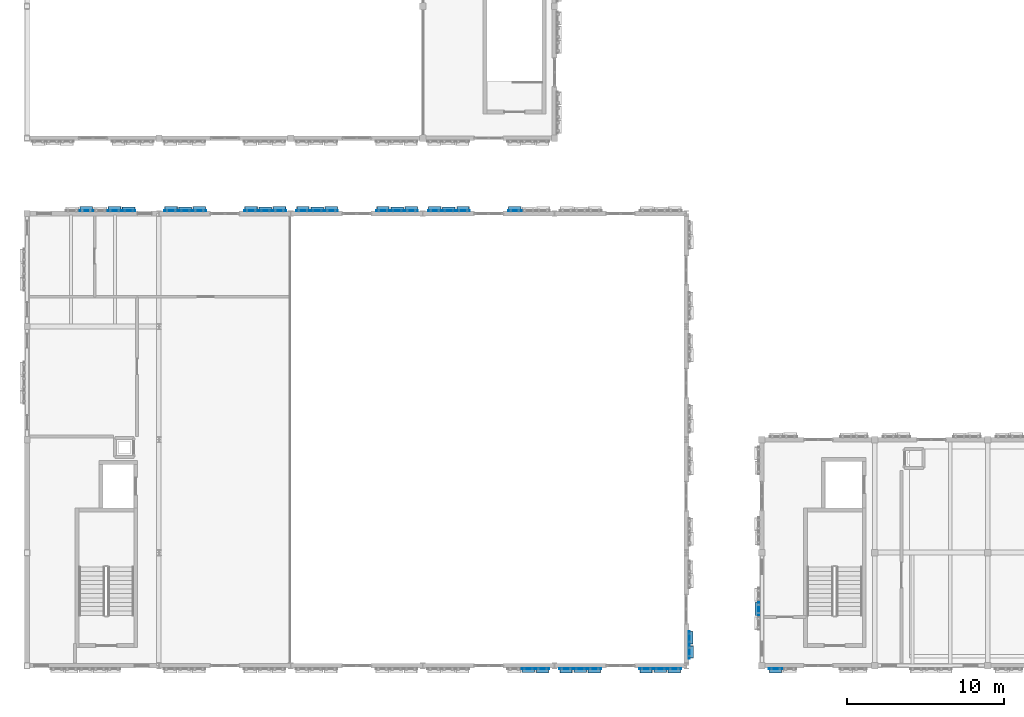
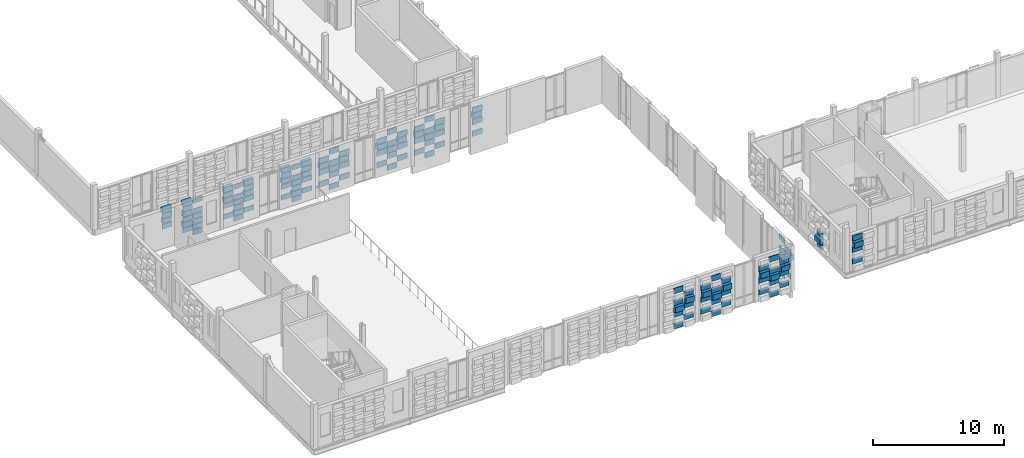
# One storey, part 43 of 81: 142 plates.
"""IFC4 building model written with IfcOpenShell, lengths in metres."""

from ifc_helpers import new_model, si_unit, direction, frame, origin, origin_2d, place, context, subcontext, project, spatial, rectangle, extrude, material, layer, layer_set, type_object, element, save


model = new_model("IFC4")

# Units and contexts
model_context = context("Model", 3, precision=1e-05, world=origin(), true_north=direction((0.0, 1.0)))
body_context = subcontext(model_context, "Body", "Model", "MODEL_VIEW")
ifc_project = project(units=[si_unit("LENGTHUNIT", "METRE"), si_unit("AREAUNIT", "SQUARE_METRE"), si_unit("VOLUMEUNIT", "CUBIC_METRE"), si_unit("PLANEANGLEUNIT", "RADIAN"), si_unit("MASSUNIT", "GRAM", prefix="KILO")], contexts=[model_context])

# Site, building, storey
site_placement = place(None, origin())
site = spatial("IfcSite", under=ifc_project, at=site_placement, CompositionType="ELEMENT")
building_placement = place(site_placement, origin())
building = spatial("IfcBuilding", under=site, at=building_placement, Name="Kahlenmark Community Centre", CompositionType="ELEMENT")
storey_placement = place(building_placement, frame((0.0, 0.0, 9.60009765625)))
storey = spatial("IfcBuildingStorey", under=building, at=storey_placement, Name="L02", CompositionType="ELEMENT", Elevation=9.60009765625)

# Plates
ifc_material_1 = material(Name="Extruded warm terracotta recessed weave tile", Category="masonry")
ifc_layer_1 = layer(ifc_material_1, 0.06005859375)
ifc_layer_set_1 = layer_set([ifc_layer_1], Name="Extruded warm terracotta recessed weave tile")
plate_type_1 = type_object("IfcPlateType", Name="PLT-TC-TC-R10-840X60X450", PredefinedType="SHEET", material=ifc_layer_set_1)
for number, where, z_axis, x_axis, name in (
    (1, (10.469970703125, 37.780029296875, 0.10009765625), (0.0, 0.0, 1.0), (-1.0, 0.0, 0.0), "Basketweave terracotta cassette 1966"),
    (2, (10.469970703125, 37.780029296875, 1.080078125), (0.0, 0.0, 1.0), (-1.0, 0.0, 0.0), "Basketweave terracotta cassette 1968"),
    (3, (10.469970703125, 37.780029296875, 2.06005859375), (0.0, 0.0, 1.0), (-1.0, 0.0, 0.0), "Basketweave terracotta cassette 1970"),
    (4, (10.469970703125, 37.780029296875, 3.0400390625), (0.0, 0.0, 1.0), (-1.0, 0.0, 0.0), "Basketweave terracotta cassette 1972"),
):
    element("IfcPlate", number, at=place(storey_placement, frame(where, z_axis=z_axis, x_axis=x_axis)), inside=storey, type_object=plate_type_1, Name=name, PredefinedType="SHEET", context=body_context, shape_type="SweptSolid", body=[
        extrude(rectangle(XDim=0.840087890625, YDim=0.06005859375, at=origin_2d()), origin(), (0.0, 0.0, 1.0), 0.449951171875),
    ])
ifc_layer_2 = layer(ifc_material_1, 0.06005859375)
ifc_layer_set_2 = layer_set([ifc_layer_2], Name="Extruded warm terracotta recessed weave tile")
plate_type_2 = type_object("IfcPlateType", Name="PLT-TC-TC-R10-840X60X456", PredefinedType="SHEET", material=ifc_layer_set_2)
for number, where, z_axis, x_axis, name in (
    (5, (19.169921875, 37.780029296875, 0.099853515625), (0.0, 0.0, 1.0), (-1.0, 0.0, 0.0), "Basketweave terracotta cassette 2008"),
    (6, (19.169921875, 37.780029296875, 1.091796875), (0.0, 0.0, 1.0), (-1.0, 0.0, 0.0), "Basketweave terracotta cassette 2010"),
    (7, (19.169921875, 37.780029296875, 2.083984375), (0.0, 0.0, 1.0), (-1.0, 0.0, 0.0), "Basketweave terracotta cassette 2012"),
    (8, (19.169921875, 37.780029296875, 3.075927734375), (0.0, 0.0, 1.0), (-1.0, 0.0, 0.0), "Basketweave terracotta cassette 2014"),
    (9, (14.070068359375, 37.780029296875, 0.099853515625), (0.0, 0.0, 1.0), (-1.0, 0.0, 0.0), "Basketweave terracotta cassette 2029"),
    (10, (14.070068359375, 37.780029296875, 1.091796875), (0.0, 0.0, 1.0), (-1.0, 0.0, 0.0), "Basketweave terracotta cassette 2031"),
    (11, (14.070068359375, 37.780029296875, 2.083984375), (0.0, 0.0, 1.0), (-1.0, 0.0, 0.0), "Basketweave terracotta cassette 2033"),
    (12, (14.070068359375, 37.780029296875, 3.075927734375), (0.0, 0.0, 1.0), (-1.0, 0.0, 0.0), "Basketweave terracotta cassette 2035"),
):
    element("IfcPlate", number, at=place(storey_placement, frame(where, z_axis=z_axis, x_axis=x_axis)), inside=storey, type_object=plate_type_2, Name=name, PredefinedType="SHEET", context=body_context, shape_type="SweptSolid", body=[
        extrude(rectangle(XDim=0.840087890625, YDim=0.06005859375, at=origin_2d()), origin(), (0.0, 0.0, 1.0), 0.4560546875),
    ])
ifc_layer_3 = layer(ifc_material_1, 0.06005859375)
ifc_layer_set_3 = layer_set([ifc_layer_3], Name="Extruded warm terracotta recessed weave tile")
plate_type_3 = type_object("IfcPlateType", Name="PLT-TC-TC-R10-840X60X495", PredefinedType="SHEET", material=ifc_layer_set_3)
for number, where, z_axis, x_axis, name in (
    (13, (50.6201171875, 12.419921875, 0.099853515625), (0.0, 0.0, 1.0), (0.0, -1.0, 0.0), "Basketweave terracotta cassette 2989"),
    (14, (50.6201171875, 12.419921875, 1.169921875), (0.0, 0.0, 1.0), (0.0, -1.0, 0.0), "Basketweave terracotta cassette 2991"),
):
    element("IfcPlate", number, at=place(storey_placement, frame(where, z_axis=z_axis, x_axis=x_axis)), inside=storey, type_object=plate_type_3, Name=name, PredefinedType="SHEET", context=body_context, shape_type="SweptSolid", body=[
        extrude(rectangle(XDim=0.840087890625, YDim=0.06005859375, at=origin_2d()), origin(), (0.0, 0.0, 1.0), 0.4951171875),
    ])
ifc_layer_4 = layer(ifc_material_1, 0.06005859375)
ifc_layer_set_4 = layer_set([ifc_layer_4], Name="Extruded warm terracotta recessed weave tile")
plate_type_4 = type_object("IfcPlateType", Name="PLT-TC-TC-R10-840X60X506", PredefinedType="SHEET", material=ifc_layer_set_4)
for number, where, z_axis, x_axis, name in (
    (15, (35.929931640625, 8.6201171875, 0.099609375), (0.0, 0.0, 1.0), (1.0, 0.0, 0.0), "Basketweave terracotta cassette 1910"),
    (16, (35.929931640625, 8.6201171875, 1.19189453125), (0.0, 0.0, 1.0), (1.0, 0.0, 0.0), "Basketweave terracotta cassette 1912"),
    (17, (35.929931640625, 8.6201171875, 2.28369140625), (0.0, 0.0, 1.0), (1.0, 0.0, 0.0), "Basketweave terracotta cassette 1914"),
    (18, (35.929931640625, 8.6201171875, 3.3759765625), (0.0, 0.0, 1.0), (1.0, 0.0, 0.0), "Basketweave terracotta cassette 1916"),
    (19, (39.22998046875, 8.6201171875, 0.099609375), (0.0, 0.0, 1.0), (1.0, 0.0, 0.0), "Basketweave terracotta cassette 1931"),
    (20, (39.22998046875, 8.6201171875, 1.19189453125), (0.0, 0.0, 1.0), (1.0, 0.0, 0.0), "Basketweave terracotta cassette 1933"),
    (21, (39.22998046875, 8.6201171875, 2.28369140625), (0.0, 0.0, 1.0), (1.0, 0.0, 0.0), "Basketweave terracotta cassette 1935"),
    (22, (39.22998046875, 8.6201171875, 3.3759765625), (0.0, 0.0, 1.0), (1.0, 0.0, 0.0), "Basketweave terracotta cassette 1937"),
    (23, (44.330078125, 8.6201171875, 0.099609375), (0.0, 0.0, 1.0), (1.0, 0.0, 0.0), "Basketweave terracotta cassette 1952"),
    (24, (44.330078125, 8.6201171875, 1.19189453125), (0.0, 0.0, 1.0), (1.0, 0.0, 0.0), "Basketweave terracotta cassette 1954"),
    (25, (44.330078125, 8.6201171875, 2.28369140625), (0.0, 0.0, 1.0), (1.0, 0.0, 0.0), "Basketweave terracotta cassette 1956"),
    (26, (44.330078125, 8.6201171875, 3.3759765625), (0.0, 0.0, 1.0), (1.0, 0.0, 0.0), "Basketweave terracotta cassette 1958"),
    (27, (27.570068359375, 37.780029296875, 0.099609375), (0.0, 0.0, 1.0), (-1.0, 0.0, 0.0), "Basketweave terracotta cassette 2050"),
    (28, (27.570068359375, 37.780029296875, 1.19189453125), (0.0, 0.0, 1.0), (-1.0, 0.0, 0.0), "Basketweave terracotta cassette 2052"),
    (29, (27.570068359375, 37.780029296875, 2.28369140625), (0.0, 0.0, 1.0), (-1.0, 0.0, 0.0), "Basketweave terracotta cassette 2054"),
    (30, (27.570068359375, 37.780029296875, 3.3759765625), (0.0, 0.0, 1.0), (-1.0, 0.0, 0.0), "Basketweave terracotta cassette 2056"),
    (31, (22.469970703125, 37.780029296875, 0.099609375), (0.0, 0.0, 1.0), (-1.0, 0.0, 0.0), "Basketweave terracotta cassette 2071"),
    (32, (22.469970703125, 37.780029296875, 1.19189453125), (0.0, 0.0, 1.0), (-1.0, 0.0, 0.0), "Basketweave terracotta cassette 2073"),
    (33, (22.469970703125, 37.780029296875, 2.28369140625), (0.0, 0.0, 1.0), (-1.0, 0.0, 0.0), "Basketweave terracotta cassette 2075"),
    (34, (22.469970703125, 37.780029296875, 3.3759765625), (0.0, 0.0, 1.0), (-1.0, 0.0, 0.0), "Basketweave terracotta cassette 2077"),
    (35, (30.8701171875, 37.780029296875, 0.099609375), (0.0, 0.0, 1.0), (-1.0, 0.0, 0.0), "Basketweave terracotta cassette 2113"),
    (36, (30.8701171875, 37.780029296875, 1.19189453125), (0.0, 0.0, 1.0), (-1.0, 0.0, 0.0), "Basketweave terracotta cassette 2115"),
    (37, (30.8701171875, 37.780029296875, 2.28369140625), (0.0, 0.0, 1.0), (-1.0, 0.0, 0.0), "Basketweave terracotta cassette 2117"),
    (38, (30.8701171875, 37.780029296875, 3.3759765625), (0.0, 0.0, 1.0), (-1.0, 0.0, 0.0), "Basketweave terracotta cassette 2119"),
    (39, (46.179931640625, 10.580078125, 0.099609375), (0.0, 0.0, 1.0), (0.0, 1.0, 0.0), "Basketweave terracotta cassette 2212"),
    (40, (46.179931640625, 10.580078125, 1.19189453125), (0.0, 0.0, 1.0), (0.0, 1.0, 0.0), "Basketweave terracotta cassette 2214"),
    (41, (46.179931640625, 10.580078125, 2.28369140625), (0.0, 0.0, 1.0), (0.0, 1.0, 0.0), "Basketweave terracotta cassette 2216"),
    (42, (46.179931640625, 10.580078125, 3.3759765625), (0.0, 0.0, 1.0), (0.0, 1.0, 0.0), "Basketweave terracotta cassette 2218"),
):
    element("IfcPlate", number, at=place(storey_placement, frame(where, z_axis=z_axis, x_axis=x_axis)), inside=storey, type_object=plate_type_4, Name=name, PredefinedType="SHEET", context=body_context, shape_type="SweptSolid", body=[
        extrude(rectangle(XDim=0.840087890625, YDim=0.06005859375, at=origin_2d()), origin(), (0.0, 0.0, 1.0), 0.506103515625),
    ])
ifc_layer_5 = layer(ifc_material_1, 0.06005859375)
ifc_layer_set_5 = layer_set([ifc_layer_5], Name="Extruded warm terracotta recessed weave tile")
plate_type_5 = type_object("IfcPlateType", Name="PLT-TC-TC-R10-860X60X450", PredefinedType="SHEET", material=ifc_layer_set_5)
for number, where, z_axis, x_axis, name in (
    (43, (9.570068359375, 37.780029296875, 0.58984375), (0.0, 0.0, 1.0), (-1.0, 0.0, 0.0), "Basketweave terracotta cassette 1974"),
    (44, (9.570068359375, 37.780029296875, 1.56982421875), (0.0, 0.0, 1.0), (-1.0, 0.0, 0.0), "Basketweave terracotta cassette 1976"),
    (45, (9.570068359375, 37.780029296875, 2.5498046875), (0.0, 0.0, 1.0), (-1.0, 0.0, 0.0), "Basketweave terracotta cassette 1978"),
    (46, (7.77001953125, 37.780029296875, 1.56982421875), (0.0, 0.0, 1.0), (-1.0, 0.0, 0.0), "Basketweave terracotta cassette 1990"),
    (47, (7.77001953125, 37.780029296875, 2.5498046875), (0.0, 0.0, 1.0), (-1.0, 0.0, 0.0), "Basketweave terracotta cassette 1992"),
):
    element("IfcPlate", number, at=place(storey_placement, frame(where, z_axis=z_axis, x_axis=x_axis)), inside=storey, type_object=plate_type_5, Name=name, PredefinedType="SHEET", context=body_context, shape_type="SweptSolid", body=[
        extrude(rectangle(XDim=0.860107421875, YDim=0.06005859375, at=origin_2d()), origin(), (0.0, 0.0, 1.0), 0.449951171875),
    ])
ifc_layer_6 = layer(ifc_material_1, 0.06005859375)
ifc_layer_set_6 = layer_set([ifc_layer_6], Name="Extruded warm terracotta recessed weave tile")
plate_type_6 = type_object("IfcPlateType", Name="PLT-TC-TC-R10-860X60X456", PredefinedType="SHEET", material=ifc_layer_set_6)
for number, where, z_axis, x_axis, name in (
    (48, (20.070068359375, 37.780029296875, 0.595947265625), (0.0, 0.0, 1.0), (-1.0, 0.0, 0.0), "Basketweave terracotta cassette 2002"),
    (49, (20.070068359375, 37.780029296875, 1.587890625), (0.0, 0.0, 1.0), (-1.0, 0.0, 0.0), "Basketweave terracotta cassette 2004"),
    (50, (20.070068359375, 37.780029296875, 2.579833984375), (0.0, 0.0, 1.0), (-1.0, 0.0, 0.0), "Basketweave terracotta cassette 2006"),
    (51, (18.27001953125, 37.780029296875, 0.595947265625), (0.0, 0.0, 1.0), (-1.0, 0.0, 0.0), "Basketweave terracotta cassette 2016"),
    (52, (18.27001953125, 37.780029296875, 1.587890625), (0.0, 0.0, 1.0), (-1.0, 0.0, 0.0), "Basketweave terracotta cassette 2018"),
    (53, (18.27001953125, 37.780029296875, 2.579833984375), (0.0, 0.0, 1.0), (-1.0, 0.0, 0.0), "Basketweave terracotta cassette 2020"),
    (54, (14.969970703125, 37.780029296875, 0.595947265625), (0.0, 0.0, 1.0), (-1.0, 0.0, 0.0), "Basketweave terracotta cassette 2023"),
    (55, (14.969970703125, 37.780029296875, 1.587890625), (0.0, 0.0, 1.0), (-1.0, 0.0, 0.0), "Basketweave terracotta cassette 2025"),
    (56, (14.969970703125, 37.780029296875, 2.579833984375), (0.0, 0.0, 1.0), (-1.0, 0.0, 0.0), "Basketweave terracotta cassette 2027"),
    (57, (13.169921875, 37.780029296875, 0.595947265625), (0.0, 0.0, 1.0), (-1.0, 0.0, 0.0), "Basketweave terracotta cassette 2037"),
    (58, (13.169921875, 37.780029296875, 1.587890625), (0.0, 0.0, 1.0), (-1.0, 0.0, 0.0), "Basketweave terracotta cassette 2039"),
    (59, (13.169921875, 37.780029296875, 2.579833984375), (0.0, 0.0, 1.0), (-1.0, 0.0, 0.0), "Basketweave terracotta cassette 2041"),
):
    element("IfcPlate", number, at=place(storey_placement, frame(where, z_axis=z_axis, x_axis=x_axis)), inside=storey, type_object=plate_type_6, Name=name, PredefinedType="SHEET", context=body_context, shape_type="SweptSolid", body=[
        extrude(rectangle(XDim=0.860107421875, YDim=0.06005859375, at=origin_2d()), origin(), (0.0, 0.0, 1.0), 0.4560546875),
    ])
ifc_layer_7 = layer(ifc_material_1, 0.06005859375)
ifc_layer_set_7 = layer_set([ifc_layer_7], Name="Extruded warm terracotta recessed weave tile")
plate_type_7 = type_object("IfcPlateType", Name="PLT-TC-TC-R10-860X60X495", PredefinedType="SHEET", material=ifc_layer_set_7)
for number, where, z_axis, x_axis, name in (
    (60, (51.679931640625, 8.6201171875, 0.634765625), (0.0, 0.0, 1.0), (1.0, 0.0, 0.0), "Basketweave terracotta cassette 2762"),
    (61, (51.679931640625, 8.6201171875, 1.704833984375), (0.0, 0.0, 1.0), (1.0, 0.0, 0.0), "Basketweave terracotta cassette 2764"),
    (62, (51.679931640625, 8.6201171875, 2.77490234375), (0.0, 0.0, 1.0), (1.0, 0.0, 0.0), "Basketweave terracotta cassette 2766"),
):
    element("IfcPlate", number, at=place(storey_placement, frame(where, z_axis=z_axis, x_axis=x_axis)), inside=storey, type_object=plate_type_7, Name=name, PredefinedType="SHEET", context=body_context, shape_type="SweptSolid", body=[
        extrude(rectangle(XDim=0.860107421875, YDim=0.06005859375, at=origin_2d()), origin(), (0.0, 0.0, 1.0), 0.4951171875),
    ])
ifc_layer_8 = layer(ifc_material_1, 0.06005859375)
ifc_layer_set_8 = layer_set([ifc_layer_8], Name="Extruded warm terracotta recessed weave tile")
plate_type_8 = type_object("IfcPlateType", Name="PLT-TC-TC-R10-860X60X506", PredefinedType="SHEET", material=ifc_layer_set_8)
for number, where, z_axis, x_axis, name in (
    (63, (36.830078125, 8.6201171875, 0.64599609375), (0.0, 0.0, 1.0), (1.0, 0.0, 0.0), "Basketweave terracotta cassette 1918"),
    (64, (36.830078125, 8.6201171875, 1.73779296875), (0.0, 0.0, 1.0), (1.0, 0.0, 0.0), "Basketweave terracotta cassette 1920"),
    (65, (36.830078125, 8.6201171875, 2.830078125), (0.0, 0.0, 1.0), (1.0, 0.0, 0.0), "Basketweave terracotta cassette 1922"),
    (66, (38.330078125, 8.6201171875, 0.64599609375), (0.0, 0.0, 1.0), (1.0, 0.0, 0.0), "Basketweave terracotta cassette 1925"),
    (67, (38.330078125, 8.6201171875, 1.73779296875), (0.0, 0.0, 1.0), (1.0, 0.0, 0.0), "Basketweave terracotta cassette 1927"),
    (68, (38.330078125, 8.6201171875, 2.830078125), (0.0, 0.0, 1.0), (1.0, 0.0, 0.0), "Basketweave terracotta cassette 1929"),
    (69, (40.1298828125, 8.6201171875, 0.64599609375), (0.0, 0.0, 1.0), (1.0, 0.0, 0.0), "Basketweave terracotta cassette 1939"),
    (70, (40.1298828125, 8.6201171875, 1.73779296875), (0.0, 0.0, 1.0), (1.0, 0.0, 0.0), "Basketweave terracotta cassette 1941"),
    (71, (40.1298828125, 8.6201171875, 2.830078125), (0.0, 0.0, 1.0), (1.0, 0.0, 0.0), "Basketweave terracotta cassette 1943"),
    (72, (43.429931640625, 8.6201171875, 0.64599609375), (0.0, 0.0, 1.0), (1.0, 0.0, 0.0), "Basketweave terracotta cassette 1946"),
    (73, (43.429931640625, 8.6201171875, 1.73779296875), (0.0, 0.0, 1.0), (1.0, 0.0, 0.0), "Basketweave terracotta cassette 1948"),
    (74, (43.429931640625, 8.6201171875, 2.830078125), (0.0, 0.0, 1.0), (1.0, 0.0, 0.0), "Basketweave terracotta cassette 1950"),
    (75, (45.22998046875, 8.6201171875, 0.64599609375), (0.0, 0.0, 1.0), (1.0, 0.0, 0.0), "Basketweave terracotta cassette 1960"),
    (76, (45.22998046875, 8.6201171875, 1.73779296875), (0.0, 0.0, 1.0), (1.0, 0.0, 0.0), "Basketweave terracotta cassette 1962"),
    (77, (45.22998046875, 8.6201171875, 2.830078125), (0.0, 0.0, 1.0), (1.0, 0.0, 0.0), "Basketweave terracotta cassette 1964"),
    (78, (28.469970703125, 37.780029296875, 0.64599609375), (0.0, 0.0, 1.0), (-1.0, 0.0, 0.0), "Basketweave terracotta cassette 2044"),
    (79, (28.469970703125, 37.780029296875, 1.73779296875), (0.0, 0.0, 1.0), (-1.0, 0.0, 0.0), "Basketweave terracotta cassette 2046"),
    (80, (28.469970703125, 37.780029296875, 2.830078125), (0.0, 0.0, 1.0), (-1.0, 0.0, 0.0), "Basketweave terracotta cassette 2048"),
    (81, (26.669921875, 37.780029296875, 0.64599609375), (0.0, 0.0, 1.0), (-1.0, 0.0, 0.0), "Basketweave terracotta cassette 2058"),
    (82, (26.669921875, 37.780029296875, 1.73779296875), (0.0, 0.0, 1.0), (-1.0, 0.0, 0.0), "Basketweave terracotta cassette 2060"),
    (83, (26.669921875, 37.780029296875, 2.830078125), (0.0, 0.0, 1.0), (-1.0, 0.0, 0.0), "Basketweave terracotta cassette 2062"),
    (84, (23.3701171875, 37.780029296875, 0.64599609375), (0.0, 0.0, 1.0), (-1.0, 0.0, 0.0), "Basketweave terracotta cassette 2065"),
    (85, (23.3701171875, 37.780029296875, 1.73779296875), (0.0, 0.0, 1.0), (-1.0, 0.0, 0.0), "Basketweave terracotta cassette 2067"),
    (86, (23.3701171875, 37.780029296875, 2.830078125), (0.0, 0.0, 1.0), (-1.0, 0.0, 0.0), "Basketweave terracotta cassette 2069"),
    (87, (21.570068359375, 37.780029296875, 0.64599609375), (0.0, 0.0, 1.0), (-1.0, 0.0, 0.0), "Basketweave terracotta cassette 2079"),
    (88, (21.570068359375, 37.780029296875, 1.73779296875), (0.0, 0.0, 1.0), (-1.0, 0.0, 0.0), "Basketweave terracotta cassette 2081"),
    (89, (21.570068359375, 37.780029296875, 2.830078125), (0.0, 0.0, 1.0), (-1.0, 0.0, 0.0), "Basketweave terracotta cassette 2083"),
    (90, (35.070068359375, 37.780029296875, 0.64599609375), (0.0, 0.0, 1.0), (-1.0, 0.0, 0.0), "Basketweave terracotta cassette 2100"),
    (91, (35.070068359375, 37.780029296875, 1.73779296875), (0.0, 0.0, 1.0), (-1.0, 0.0, 0.0), "Basketweave terracotta cassette 2102"),
    (92, (35.070068359375, 37.780029296875, 2.830078125), (0.0, 0.0, 1.0), (-1.0, 0.0, 0.0), "Basketweave terracotta cassette 2104"),
    (93, (31.77001953125, 37.780029296875, 0.64599609375), (0.0, 0.0, 1.0), (-1.0, 0.0, 0.0), "Basketweave terracotta cassette 2107"),
    (94, (31.77001953125, 37.780029296875, 1.73779296875), (0.0, 0.0, 1.0), (-1.0, 0.0, 0.0), "Basketweave terracotta cassette 2109"),
    (95, (31.77001953125, 37.780029296875, 2.830078125), (0.0, 0.0, 1.0), (-1.0, 0.0, 0.0), "Basketweave terracotta cassette 2111"),
    (96, (29.969970703125, 37.780029296875, 0.64599609375), (0.0, 0.0, 1.0), (-1.0, 0.0, 0.0), "Basketweave terracotta cassette 2121"),
    (97, (29.969970703125, 37.780029296875, 1.73779296875), (0.0, 0.0, 1.0), (-1.0, 0.0, 0.0), "Basketweave terracotta cassette 2123"),
    (98, (29.969970703125, 37.780029296875, 2.830078125), (0.0, 0.0, 1.0), (-1.0, 0.0, 0.0), "Basketweave terracotta cassette 2125"),
    (99, (46.179931640625, 9.679931640625, 0.64599609375), (0.0, 0.0, 1.0), (0.0, 1.0, 0.0), "Basketweave terracotta cassette 2206"),
    (100, (46.179931640625, 9.679931640625, 1.73779296875), (0.0, 0.0, 1.0), (0.0, 1.0, 0.0), "Basketweave terracotta cassette 2208"),
    (101, (46.179931640625, 9.679931640625, 2.830078125), (0.0, 0.0, 1.0), (0.0, 1.0, 0.0), "Basketweave terracotta cassette 2210"),
):
    element("IfcPlate", number, at=place(storey_placement, frame(where, z_axis=z_axis, x_axis=x_axis)), inside=storey, type_object=plate_type_8, Name=name, PredefinedType="SHEET", context=body_context, shape_type="SweptSolid", body=[
        extrude(rectangle(XDim=0.860107421875, YDim=0.06005859375, at=origin_2d()), origin(), (0.0, 0.0, 1.0), 0.506103515625),
    ])
ifc_material_2 = material(Name="Extruded glazed terracotta weave cassette", Category="masonry")
ifc_layer_9 = layer(ifc_material_2, 0.300048828125)
ifc_layer_set_9 = layer_set([ifc_layer_9], Name="Extruded glazed terracotta weave cassette")
plate_type_9 = type_object("IfcPlateType", Name="PLT-TC-TC-R34-780X300X450", PredefinedType="SHEET", material=ifc_layer_set_9)
for number, where, z_axis, x_axis, name in (
    (102, (9.570068359375, 37.89990234375, 2.06005859375), (0.0, 0.0, 1.0), (-1.0, 0.0, 0.0), "Basketweave terracotta cassette 1977"),
    (103, (7.77001953125, 37.89990234375, 2.06005859375), (0.0, 0.0, 1.0), (-1.0, 0.0, 0.0), "Basketweave terracotta cassette 1991"),
):
    element("IfcPlate", number, at=place(storey_placement, frame(where, z_axis=z_axis, x_axis=x_axis)), inside=storey, type_object=plate_type_9, Name=name, PredefinedType="SHEET", context=body_context, shape_type="SweptSolid", body=[
        extrude(rectangle(XDim=0.780029296875, YDim=0.300048828125, at=origin_2d()), origin(), (0.0, 0.0, 1.0), 0.449951171875),
    ])
ifc_layer_10 = layer(ifc_material_2, 0.300048828125)
ifc_layer_set_10 = layer_set([ifc_layer_10], Name="Extruded glazed terracotta weave cassette")
plate_type_10 = type_object("IfcPlateType", Name="PLT-TC-TC-R34-780X300X456", PredefinedType="SHEET", material=ifc_layer_set_10)
for number, where, z_axis, x_axis, name in (
    (104, (20.070068359375, 37.89990234375, 2.083984375), (0.0, 0.0, 1.0), (-1.0, 0.0, 0.0), "Basketweave terracotta cassette 2005"),
    (105, (18.27001953125, 37.89990234375, 2.083984375), (0.0, 0.0, 1.0), (-1.0, 0.0, 0.0), "Basketweave terracotta cassette 2019"),
    (106, (14.969970703125, 37.89990234375, 2.083984375), (0.0, 0.0, 1.0), (-1.0, 0.0, 0.0), "Basketweave terracotta cassette 2026"),
    (107, (13.169921875, 37.89990234375, 2.083984375), (0.0, 0.0, 1.0), (-1.0, 0.0, 0.0), "Basketweave terracotta cassette 2040"),
):
    element("IfcPlate", number, at=place(storey_placement, frame(where, z_axis=z_axis, x_axis=x_axis)), inside=storey, type_object=plate_type_10, Name=name, PredefinedType="SHEET", context=body_context, shape_type="SweptSolid", body=[
        extrude(rectangle(XDim=0.780029296875, YDim=0.300048828125, at=origin_2d()), origin(), (0.0, 0.0, 1.0), 0.4560546875),
    ])
ifc_layer_11 = layer(ifc_material_2, 0.300048828125)
ifc_layer_set_11 = layer_set([ifc_layer_11], Name="Extruded glazed terracotta weave cassette")
plate_type_11 = type_object("IfcPlateType", Name="PLT-TC-TC-R34-780X300X495", PredefinedType="SHEET", material=ifc_layer_set_11)
plate_1_placement = place(storey_placement, frame((51.679931640625, 8.5, 2.23974609375), z_axis=(0.0, 0.0, 1.0), x_axis=(1.0, 0.0, 0.0)))
element("IfcPlate", 108, at=plate_1_placement, inside=storey, type_object=plate_type_11, Name="Basketweave terracotta cassette 2765", PredefinedType="SHEET", context=body_context, shape_type="SweptSolid", body=[
    extrude(rectangle(XDim=0.780029296875, YDim=0.300048828125, at=origin_2d()), origin(), (0.0, 0.0, 1.0), 0.4951171875),
])
ifc_layer_12 = layer(ifc_material_2, 0.300048828125)
ifc_layer_set_12 = layer_set([ifc_layer_12], Name="Extruded glazed terracotta weave cassette")
plate_type_12 = type_object("IfcPlateType", Name="PLT-TC-TC-R34-780X300X506", PredefinedType="SHEET", material=ifc_layer_set_12)
for number, where, z_axis, x_axis, name in (
    (109, (36.830078125, 8.5, 2.28369140625), (0.0, 0.0, 1.0), (1.0, 0.0, 0.0), "Basketweave terracotta cassette 1921"),
    (110, (38.330078125, 8.5, 2.28369140625), (0.0, 0.0, 1.0), (1.0, 0.0, 0.0), "Basketweave terracotta cassette 1928"),
    (111, (40.1298828125, 8.5, 2.28369140625), (0.0, 0.0, 1.0), (1.0, 0.0, 0.0), "Basketweave terracotta cassette 1942"),
    (112, (43.429931640625, 8.5, 2.28369140625), (0.0, 0.0, 1.0), (1.0, 0.0, 0.0), "Basketweave terracotta cassette 1949"),
    (113, (45.22998046875, 8.5, 2.28369140625), (0.0, 0.0, 1.0), (1.0, 0.0, 0.0), "Basketweave terracotta cassette 1963"),
    (114, (28.469970703125, 37.89990234375, 2.28369140625), (0.0, 0.0, 1.0), (-1.0, 0.0, 0.0), "Basketweave terracotta cassette 2047"),
    (115, (26.669921875, 37.89990234375, 2.28369140625), (0.0, 0.0, 1.0), (-1.0, 0.0, 0.0), "Basketweave terracotta cassette 2061"),
    (116, (23.3701171875, 37.89990234375, 2.28369140625), (0.0, 0.0, 1.0), (-1.0, 0.0, 0.0), "Basketweave terracotta cassette 2068"),
    (117, (21.570068359375, 37.89990234375, 2.28369140625), (0.0, 0.0, 1.0), (-1.0, 0.0, 0.0), "Basketweave terracotta cassette 2082"),
    (118, (35.070068359375, 37.89990234375, 2.28369140625), (0.0, 0.0, 1.0), (-1.0, 0.0, 0.0), "Basketweave terracotta cassette 2103"),
    (119, (31.77001953125, 37.89990234375, 2.28369140625), (0.0, 0.0, 1.0), (-1.0, 0.0, 0.0), "Basketweave terracotta cassette 2110"),
    (120, (29.969970703125, 37.89990234375, 2.28369140625), (0.0, 0.0, 1.0), (-1.0, 0.0, 0.0), "Basketweave terracotta cassette 2124"),
    (121, (46.300048828125, 9.679931640625, 2.28369140625), (0.0, 0.0, 1.0), (0.0, 1.0, 0.0), "Basketweave terracotta cassette 2209"),
):
    element("IfcPlate", number, at=place(storey_placement, frame(where, z_axis=z_axis, x_axis=x_axis)), inside=storey, type_object=plate_type_12, Name=name, PredefinedType="SHEET", context=body_context, shape_type="SweptSolid", body=[
        extrude(rectangle(XDim=0.780029296875, YDim=0.300048828125, at=origin_2d()), origin(), (0.0, 0.0, 1.0), 0.506103515625),
    ])
ifc_layer_13 = layer(ifc_material_2, 0.300048828125)
ifc_layer_set_13 = layer_set([ifc_layer_13], Name="Extruded glazed terracotta weave cassette")
plate_type_13 = type_object("IfcPlateType", Name="PLT-TC-TC-R34-820X300X450", PredefinedType="SHEET", material=ifc_layer_set_13)
for number, where, z_axis, x_axis, name in (
    (122, (9.570068359375, 37.89990234375, 3.0400390625), (0.0, 0.0, 1.0), (-1.0, 0.0, 0.0), "Basketweave terracotta cassette 1979"),
    (123, (7.77001953125, 37.89990234375, 3.0400390625), (0.0, 0.0, 1.0), (-1.0, 0.0, 0.0), "Basketweave terracotta cassette 1993"),
):
    element("IfcPlate", number, at=place(storey_placement, frame(where, z_axis=z_axis, x_axis=x_axis)), inside=storey, type_object=plate_type_13, Name=name, PredefinedType="SHEET", context=body_context, shape_type="SweptSolid", body=[
        extrude(rectangle(XDim=0.820068359375, YDim=0.300048828125, at=origin_2d()), origin(), (0.0, 0.0, 1.0), 0.449951171875),
    ])
ifc_layer_14 = layer(ifc_material_2, 0.300048828125)
ifc_layer_set_14 = layer_set([ifc_layer_14], Name="Extruded glazed terracotta weave cassette")
plate_type_14 = type_object("IfcPlateType", Name="PLT-TC-TC-R34-820X300X456", PredefinedType="SHEET", material=ifc_layer_set_14)
for number, where, z_axis, x_axis, name in (
    (124, (20.070068359375, 37.89990234375, 3.075927734375), (0.0, 0.0, 1.0), (-1.0, 0.0, 0.0), "Basketweave terracotta cassette 2007"),
    (125, (18.27001953125, 37.89990234375, 3.075927734375), (0.0, 0.0, 1.0), (-1.0, 0.0, 0.0), "Basketweave terracotta cassette 2021"),
    (126, (14.969970703125, 37.89990234375, 3.075927734375), (0.0, 0.0, 1.0), (-1.0, 0.0, 0.0), "Basketweave terracotta cassette 2028"),
    (127, (13.169921875, 37.89990234375, 3.075927734375), (0.0, 0.0, 1.0), (-1.0, 0.0, 0.0), "Basketweave terracotta cassette 2042"),
):
    element("IfcPlate", number, at=place(storey_placement, frame(where, z_axis=z_axis, x_axis=x_axis)), inside=storey, type_object=plate_type_14, Name=name, PredefinedType="SHEET", context=body_context, shape_type="SweptSolid", body=[
        extrude(rectangle(XDim=0.820068359375, YDim=0.300048828125, at=origin_2d()), origin(), (0.0, 0.0, 1.0), 0.4560546875),
    ])
ifc_layer_15 = layer(ifc_material_2, 0.300048828125)
ifc_layer_set_15 = layer_set([ifc_layer_15], Name="Extruded glazed terracotta weave cassette")
plate_type_15 = type_object("IfcPlateType", Name="PLT-TC-TC-R34-840X300X450", PredefinedType="SHEET", material=ifc_layer_set_15)
plate_2_placement = place(storey_placement, frame((9.570068359375, 37.89990234375, 1.080078125), z_axis=(0.0, 0.0, 1.0), x_axis=(-1.0, 0.0, 0.0)))
element("IfcPlate", 128, at=plate_2_placement, inside=storey, type_object=plate_type_15, Name="Basketweave terracotta cassette 1975", PredefinedType="SHEET", context=body_context, shape_type="SweptSolid", body=[
    extrude(rectangle(XDim=0.840087890625, YDim=0.300048828125, at=origin_2d()), origin(), (0.0, 0.0, 1.0), 0.449951171875),
])
ifc_layer_16 = layer(ifc_material_2, 0.280029296875)
ifc_layer_set_16 = layer_set([ifc_layer_16], Name="Extruded glazed terracotta weave cassette")
plate_type_16 = type_object("IfcPlateType", Name="PLT-TC-TC-W30-800X280X450", PredefinedType="SHEET", material=ifc_layer_set_16)
plate_3_placement = place(storey_placement, frame((10.469970703125, 37.889892578125, 1.56982421875), z_axis=(0.0, 0.0, 1.0), x_axis=(-1.0, 0.0, 0.0)))
element("IfcPlate", 129, at=plate_3_placement, inside=storey, type_object=plate_type_16, Name="Basketweave terracotta cassette 1969", PredefinedType="SHEET", context=body_context, shape_type="SweptSolid", body=[
    extrude(rectangle(XDim=0.800048828125, YDim=0.280029296875, at=origin_2d()), origin(), (0.0, 0.0, 1.0), 0.449951171875),
])
ifc_layer_17 = layer(ifc_material_2, 0.280029296875)
ifc_layer_set_17 = layer_set([ifc_layer_17], Name="Extruded glazed terracotta weave cassette")
plate_type_17 = type_object("IfcPlateType", Name="PLT-TC-TC-W30-800X280X456", PredefinedType="SHEET", material=ifc_layer_set_17)
for number, where, z_axis, x_axis, name in (
    (130, (19.169921875, 37.889892578125, 1.587890625), (0.0, 0.0, 1.0), (-1.0, 0.0, 0.0), "Basketweave terracotta cassette 2011"),
    (131, (14.070068359375, 37.889892578125, 1.587890625), (0.0, 0.0, 1.0), (-1.0, 0.0, 0.0), "Basketweave terracotta cassette 2032"),
):
    element("IfcPlate", number, at=place(storey_placement, frame(where, z_axis=z_axis, x_axis=x_axis)), inside=storey, type_object=plate_type_17, Name=name, PredefinedType="SHEET", context=body_context, shape_type="SweptSolid", body=[
        extrude(rectangle(XDim=0.800048828125, YDim=0.280029296875, at=origin_2d()), origin(), (0.0, 0.0, 1.0), 0.4560546875),
    ])
ifc_layer_18 = layer(ifc_material_2, 0.280029296875)
ifc_layer_set_18 = layer_set([ifc_layer_18], Name="Extruded glazed terracotta weave cassette")
plate_type_18 = type_object("IfcPlateType", Name="PLT-TC-TC-W30-800X280X506", PredefinedType="SHEET", material=ifc_layer_set_18)
for number, where, z_axis, x_axis, name in (
    (132, (35.929931640625, 8.510009765625, 1.73779296875), (0.0, 0.0, 1.0), (1.0, 0.0, 0.0), "Basketweave terracotta cassette 1913"),
    (133, (39.22998046875, 8.510009765625, 1.73779296875), (0.0, 0.0, 1.0), (1.0, 0.0, 0.0), "Basketweave terracotta cassette 1934"),
    (134, (44.330078125, 8.510009765625, 1.73779296875), (0.0, 0.0, 1.0), (1.0, 0.0, 0.0), "Basketweave terracotta cassette 1955"),
    (135, (27.570068359375, 37.889892578125, 1.73779296875), (0.0, 0.0, 1.0), (-1.0, 0.0, 0.0), "Basketweave terracotta cassette 2053"),
    (136, (22.469970703125, 37.889892578125, 1.73779296875), (0.0, 0.0, 1.0), (-1.0, 0.0, 0.0), "Basketweave terracotta cassette 2074"),
    (137, (30.8701171875, 37.889892578125, 1.73779296875), (0.0, 0.0, 1.0), (-1.0, 0.0, 0.0), "Basketweave terracotta cassette 2116"),
    (138, (46.2900390625, 10.580078125, 1.73779296875), (0.0, 0.0, 1.0), (0.0, 1.0, 0.0), "Basketweave terracotta cassette 2215"),
):
    element("IfcPlate", number, at=place(storey_placement, frame(where, z_axis=z_axis, x_axis=x_axis)), inside=storey, type_object=plate_type_18, Name=name, PredefinedType="SHEET", context=body_context, shape_type="SweptSolid", body=[
        extrude(rectangle(XDim=0.800048828125, YDim=0.280029296875, at=origin_2d()), origin(), (0.0, 0.0, 1.0), 0.506103515625),
    ])
ifc_layer_19 = layer(ifc_material_2, 0.280029296875)
ifc_layer_set_19 = layer_set([ifc_layer_19], Name="Extruded glazed terracotta weave cassette")
plate_type_19 = type_object("IfcPlateType", Name="PLT-TC-TC-W30-820X280X450", PredefinedType="SHEET", material=ifc_layer_set_19)
plate_4_placement = place(storey_placement, frame((10.469970703125, 37.889892578125, 0.58984375), z_axis=(0.0, 0.0, 1.0), x_axis=(-1.0, 0.0, 0.0)))
element("IfcPlate", 139, at=plate_4_placement, inside=storey, type_object=plate_type_19, Name="Basketweave terracotta cassette 1967", PredefinedType="SHEET", context=body_context, shape_type="SweptSolid", body=[
    extrude(rectangle(XDim=0.820068359375, YDim=0.280029296875, at=origin_2d()), origin(), (0.0, 0.0, 1.0), 0.449951171875),
])
ifc_layer_20 = layer(ifc_material_2, 0.280029296875)
ifc_layer_set_20 = layer_set([ifc_layer_20], Name="Extruded glazed terracotta weave cassette")
plate_type_20 = type_object("IfcPlateType", Name="PLT-TC-TC-W30-820X280X456", PredefinedType="SHEET", material=ifc_layer_set_20)
for number, where, z_axis, x_axis, name in (
    (140, (19.169921875, 37.889892578125, 0.595947265625), (0.0, 0.0, 1.0), (-1.0, 0.0, 0.0), "Basketweave terracotta cassette 2009"),
    (141, (14.070068359375, 37.889892578125, 0.595947265625), (0.0, 0.0, 1.0), (-1.0, 0.0, 0.0), "Basketweave terracotta cassette 2030"),
):
    element("IfcPlate", number, at=place(storey_placement, frame(where, z_axis=z_axis, x_axis=x_axis)), inside=storey, type_object=plate_type_20, Name=name, PredefinedType="SHEET", context=body_context, shape_type="SweptSolid", body=[
        extrude(rectangle(XDim=0.820068359375, YDim=0.280029296875, at=origin_2d()), origin(), (0.0, 0.0, 1.0), 0.4560546875),
    ])
ifc_layer_21 = layer(ifc_material_2, 0.280029296875)
ifc_layer_set_21 = layer_set([ifc_layer_21], Name="Extruded glazed terracotta weave cassette")
plate_type_21 = type_object("IfcPlateType", Name="PLT-TC-TC-W30-820X280X495", PredefinedType="SHEET", material=ifc_layer_set_21)
plate_5_placement = place(storey_placement, frame((50.510009765625, 12.419921875, 0.634765625), z_axis=(0.0, 0.0, 1.0), x_axis=(0.0, -1.0, 0.0)))
element("IfcPlate", 142, at=plate_5_placement, inside=storey, type_object=plate_type_21, Name="Basketweave terracotta cassette 2990", PredefinedType="SHEET", context=body_context, shape_type="SweptSolid", body=[
    extrude(rectangle(XDim=0.820068359375, YDim=0.280029296875, at=origin_2d()), origin(), (0.0, 0.0, 1.0), 0.4951171875),
])

save(model, "model.ifc")
